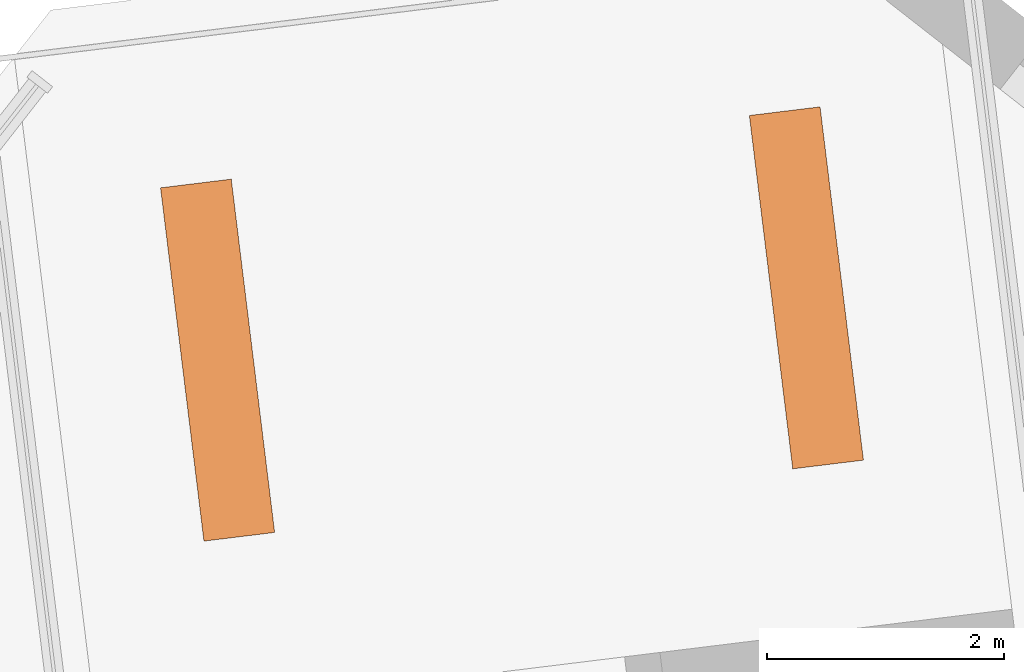
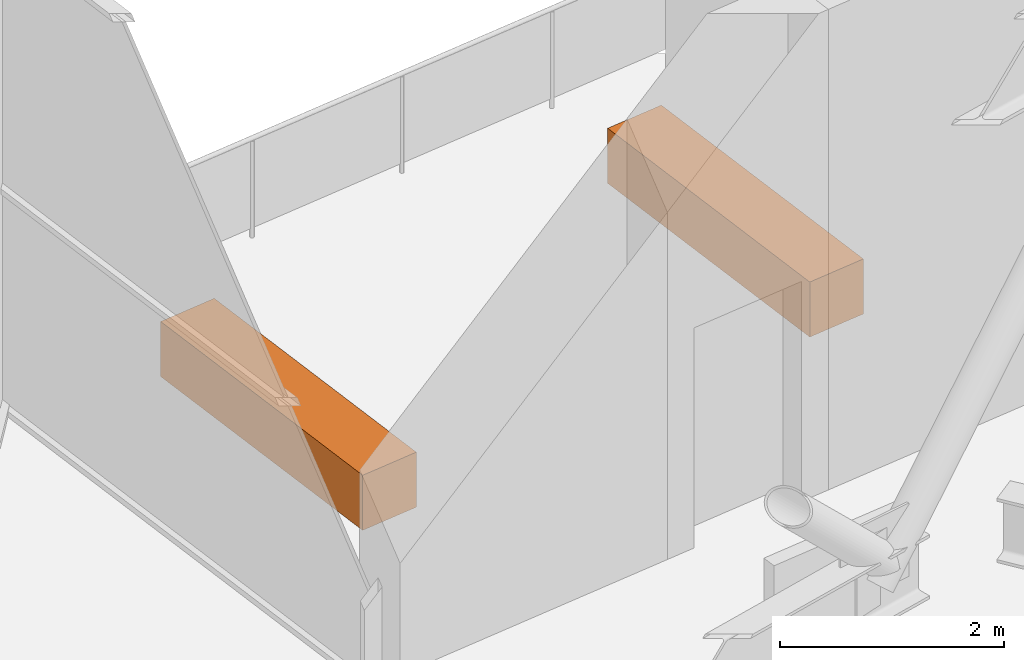
# One storey, part 23 of 23: 2 proxies.
"""IFC4 building model written with IfcOpenShell, lengths in metres."""

from ifc_helpers import new_model, si_unit, direction, frame, origin, origin_2d, place, context, subcontext, project, spatial, rectangle, extrude, element, save


model = new_model("IFC4")

# Units and contexts
model_context = context("Model", 3, precision=1e-05, world=origin(), true_north=direction((0.0, 1.0)))
body_context = subcontext(model_context, "Body", "Model", "MODEL_VIEW")
ifc_project = project(units=[si_unit("LENGTHUNIT", "METRE"), si_unit("AREAUNIT", "SQUARE_METRE"), si_unit("VOLUMEUNIT", "CUBIC_METRE"), si_unit("PLANEANGLEUNIT", "RADIAN"), si_unit("MASSUNIT", "GRAM", prefix="KILO")], contexts=[model_context])

# Site, building, storey
site_placement = place(None, origin())
site = spatial("IfcSite", under=ifc_project, at=site_placement, CompositionType="ELEMENT")
building_placement = place(site_placement, origin())
building = spatial("IfcBuilding", under=site, at=building_placement, Name="Dilmun Exchange Tower", CompositionType="ELEMENT")
storey_placement = place(building_placement, frame((0.0, 0.0, 237.300048828125)))
storey = spatial("IfcBuildingStorey", under=building, at=storey_placement, Name="L56", CompositionType="ELEMENT", Elevation=237.300048828125)

# Proxies
for number, where, z_axis, x_axis, name in (
    (1, (2.0595703125, 32.75048828125, 0.0), (0.0, 0.0, 1.0), (-0.121869343405, 0.992546151641, 0.0), "PLANTER Date palm L56.1"),
    (2, (-2.903076171875, 32.14111328125, 0.0), (0.0, 0.0, 1.0), (-0.121869343405, 0.992546151641, 0.0), "PLANTER Date palm L56.2"),
):
    element("IfcBuildingElementProxy", number, at=place(storey_placement, frame(where, z_axis=z_axis, x_axis=x_axis)), inside=storey, Name=name, ObjectType="PLANTER", PredefinedType="USERDEFINED", context=body_context, shape_type="SweptSolid", body=[
        extrude(rectangle(XDim=3.0, YDim=0.60009765625, at=origin_2d()), origin(), (0.0, 0.0, 1.0), 0.60009765625),
    ])

save(model, "model.ifc")
